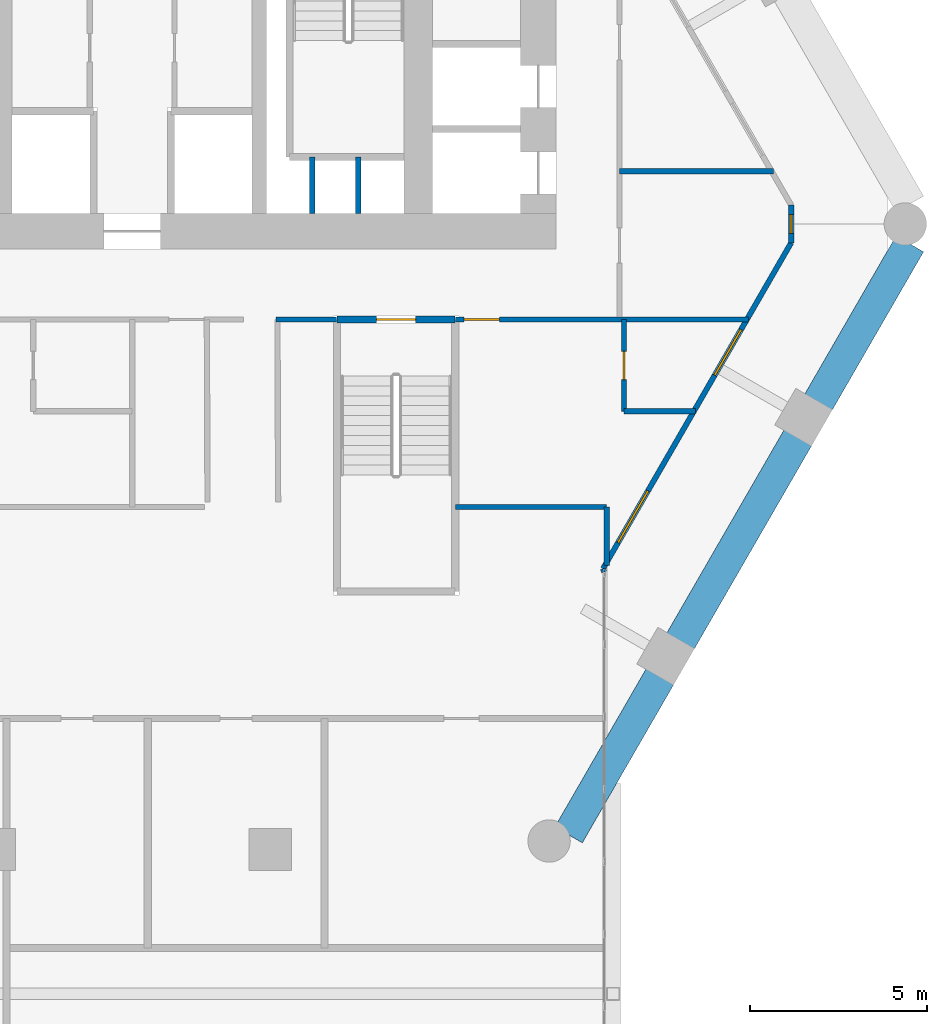
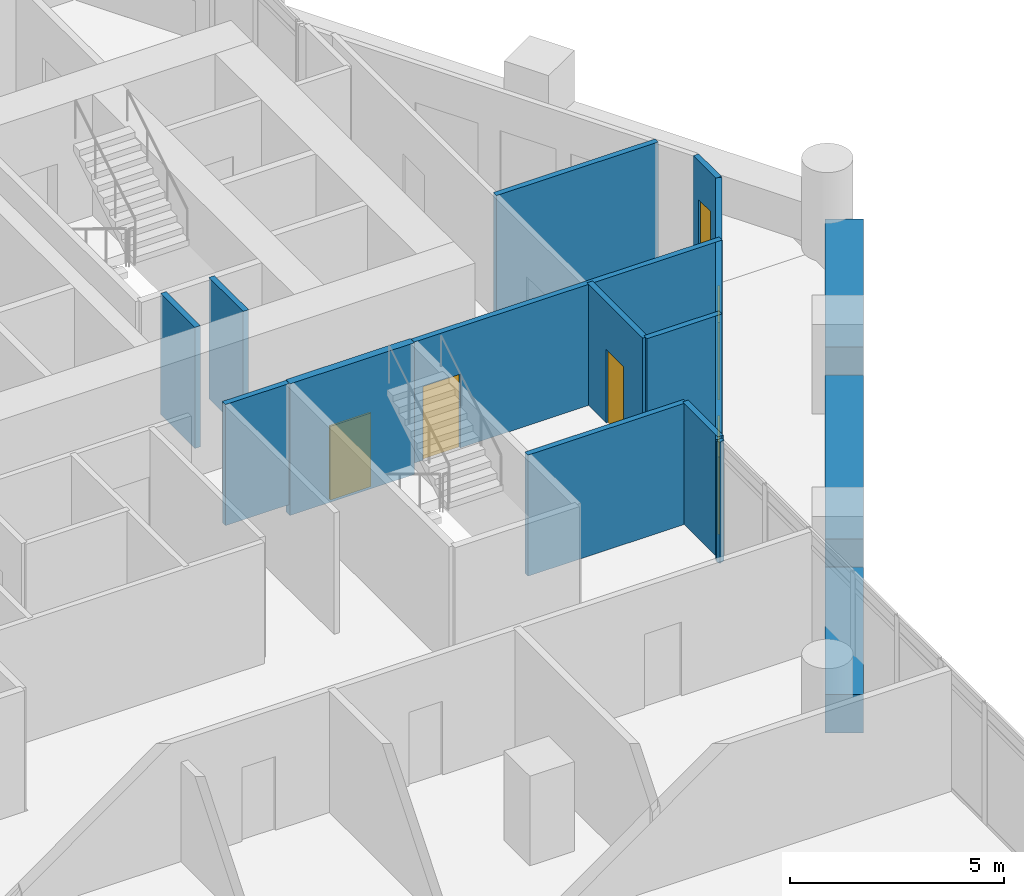
# One storey, part 31 of 37: 16 walls, 3 doors, 3 windows, 6 openings.
"""IFC4 building model written with IfcOpenShell, lengths in metres."""

from ifc_helpers import new_model, si_unit, direction, frame, frame_2d, origin, place, context, subcontext, project, spatial, rectangle, extrude, material, layer, layer_set, type_object, element, fill, save


model = new_model("IFC4")

# Units and contexts
model_context = context("Model", 3, precision=1e-05, world=origin(), true_north=direction((0.0, 1.0)))
body_context = subcontext(model_context, "Body", "Model", "MODEL_VIEW")
ifc_project = project(units=[si_unit("LENGTHUNIT", "METRE"), si_unit("AREAUNIT", "SQUARE_METRE"), si_unit("VOLUMEUNIT", "CUBIC_METRE"), si_unit("PLANEANGLEUNIT", "RADIAN"), si_unit("MASSUNIT", "GRAM", prefix="KILO")], contexts=[model_context])

# Site, building, storey
site_placement = place(None, origin())
site = spatial("IfcSite", under=ifc_project, at=site_placement, CompositionType="ELEMENT")
building_placement = place(site_placement, origin())
building = spatial("IfcBuilding", under=site, at=building_placement, Name="Ostrander Bayou Hotel Tower", CompositionType="ELEMENT")
storey_placement = place(building_placement, frame((0.0, 0.0, 131.0)))
storey = spatial("IfcBuildingStorey", under=building, at=storey_placement, Name="L32", CompositionType="ELEMENT", Elevation=131.0)

# Wall, openings, windows
ifc_material_1 = material(Name="Aluminium framed insulated wall", Category="aluminium")
ifc_layer_1 = layer(ifc_material_1, 0.14990234375)
ifc_layer_set_1 = layer_set([ifc_layer_1], Name="GW1 glass-line wall 150 mm")
wall_type_1 = type_object("IfcWallType", Name="GW1 glass-line wall 150 mm", PredefinedType="SOLIDWALL", material=ifc_layer_set_1)
wall_1_placement = place(storey_placement, frame((13.333984375, -10.7548828125, 0.0), z_axis=(0.0, 0.0, 1.0), x_axis=(0.499997430087, 0.866026887519, 0.0)))
wall_1 = element("IfcWall", 1, at=wall_1_placement, inside=storey, type_object=wall_type_1, Name="GW1 L32 SE 1", PredefinedType="SOLIDWALL", context=body_context, shape_type="SweptSolid", body=[
    extrude(rectangle(XDim=10.6572265625, YDim=0.14990234375, at=frame_2d((5.32861328125, 0.0))), origin(), (0.0, 0.0, 1.0), 3.449951171875),
])
opening_1_placement = place(wall_1_placement, frame((0.84716796875, 0.0, 0.14990234375)))
opening_1 = element("IfcOpeningElement", 2, at=opening_1_placement, cuts=wall_1, Name="Opening W8", PredefinedType="OPENING", context=body_context, shape_type="SweptSolid", body=[
    extrude(rectangle(XDim=1.699951171875, YDim=2.199951171875, at=frame_2d((0.85009765625, 1.10009765625))), frame((0.0, 0.074951171875, 0.0), z_axis=(0.0, -1.0, 0.0), x_axis=(1.0, 0.0, 0.0)), (0.0, 0.0, 1.0), 0.14990234375),
])
opening_2_placement = place(wall_1_placement, frame((6.322265625, 0.0, 0.14990234375)))
opening_2 = element("IfcOpeningElement", 3, at=opening_2_placement, cuts=wall_1, Name="Opening W12", PredefinedType="OPENING", context=body_context, shape_type="SweptSolid", body=[
    extrude(rectangle(XDim=1.5, YDim=2.199951171875, at=frame_2d((0.75, 1.10009765625))), frame((0.0, 0.074951171875, 0.0), z_axis=(0.0, -1.0, 0.0), x_axis=(1.0, 0.0, 0.0)), (0.0, 0.0, 1.0), 0.14990234375),
])
ifc_material_2 = material(Name="Aluminium and clear glass", Category="aluminium")
window_type_1 = type_object("IfcWindowType", Name="W12 fixed window 1500 mm, bath bay, zone 2", PartitioningType="SINGLE_PANEL", PredefinedType="WINDOW", material=ifc_material_2)
window_1_placement = place(opening_2_placement, origin())
window_1 = element("IfcWindow", 4, at=window_1_placement, inside=storey, type_object=window_type_1, Name="W12 L32 SE 3", OverallHeight=2.199951171875, OverallWidth=1.5, PartitioningType="SINGLE_PANEL", PredefinedType="WINDOW", context=body_context, shape_type="SweptSolid", body=[
    extrude(rectangle(XDim=1.5, YDim=2.199951171875, at=frame_2d((0.75, 1.10009765625))), frame((0.0, 0.030029296875, 0.0), z_axis=(0.0, -1.0, 0.0), x_axis=(1.0, 0.0, 0.0)), (0.0, 0.0, 1.0), 0.06005859375),
])
fill(opening_2, window_1)
ifc_material_3 = material(Name="Aluminium and clear glass", Category="aluminium")
window_type_2 = type_object("IfcWindowType", Name="W8 fixed window 1700 mm, bar storeys, zone 2", PartitioningType="SINGLE_PANEL", PredefinedType="WINDOW", material=ifc_material_3)
window_2_placement = place(opening_1_placement, origin())
window_2 = element("IfcWindow", 5, at=window_2_placement, inside=storey, type_object=window_type_2, Name="W8 L32 SE 2", OverallHeight=2.199951171875, OverallWidth=1.699951171875, PartitioningType="SINGLE_PANEL", PredefinedType="WINDOW", context=body_context, shape_type="SweptSolid", body=[
    extrude(rectangle(XDim=1.699951171875, YDim=2.199951171875, at=frame_2d((0.85009765625, 1.10009765625))), frame((0.0, 0.030029296875, 0.0), z_axis=(0.0, -1.0, 0.0), x_axis=(1.0, 0.0, 0.0)), (0.0, 0.0, 1.0), 0.06005859375),
])
fill(opening_1, window_2)

# Wall, opening, window
wall_2_placement = place(storey_placement, frame((18.66259765625, -1.525390625, 0.0), z_axis=(0.0, 0.0, 1.0), x_axis=(0.0, 1.0, 0.0)))
wall_2 = element("IfcWall", 6, at=wall_2_placement, inside=storey, type_object=wall_type_1, Name="GW1 L32 corner 5", PredefinedType="SOLIDWALL", context=body_context, shape_type="SweptSolid", body=[
    extrude(rectangle(XDim=1.065185546875, YDim=0.14990234375, at=frame_2d((0.53271484375, 0.0))), origin(), (0.0, 0.0, 1.0), 3.449951171875),
])
opening_3_placement = place(wall_2_placement, frame((0.257568359375, 0.0, 0.14990234375)))
opening_3 = element("IfcOpeningElement", 7, at=opening_3_placement, cuts=wall_2, Name="Opening W19", PredefinedType="OPENING", context=body_context, shape_type="SweptSolid", body=[
    extrude(rectangle(XDim=0.550048828125, YDim=2.199951171875, at=frame_2d((0.27490234375, 1.10009765625))), frame((0.0, 0.074951171875, 0.0), z_axis=(0.0, -1.0, 0.0), x_axis=(1.0, 0.0, 0.0)), (0.0, 0.0, 1.0), 0.14990234375),
])
ifc_material_4 = material(Name="Aluminium and clear glass", Category="aluminium")
window_type_3 = type_object("IfcWindowType", Name="W19 corner window 550 mm", PartitioningType="SINGLE_PANEL", PredefinedType="WINDOW", material=ifc_material_4)
window_3_placement = place(opening_3_placement, origin())
window_3 = element("IfcWindow", 8, at=window_3_placement, inside=storey, type_object=window_type_3, Name="W19 L32 corner 5", OverallHeight=2.199951171875, OverallWidth=0.550048828125, PartitioningType="SINGLE_PANEL", PredefinedType="WINDOW", context=body_context, shape_type="SweptSolid", body=[
    extrude(rectangle(XDim=0.550048828125, YDim=2.199951171875, at=frame_2d((0.27490234375, 1.10009765625))), frame((0.0, 0.030029296875, 0.0), z_axis=(0.0, -1.0, 0.0), x_axis=(1.0, 0.0, 0.0)), (0.0, 0.0, 1.0), 0.06005859375),
])
fill(opening_3, window_3)

# Walls
wall_3_placement = place(storey_placement, frame((13.333984375, -10.7548828125, 0.0), z_axis=(0.0, 0.0, 1.0), x_axis=(0.337751931921, -0.941235163221, 0.0)))
element("IfcWall", 9, at=wall_3_placement, inside=storey, type_object=wall_type_1, Name="GW1 L32 bar joint 3", PredefinedType="SOLIDWALL", context=body_context, shape_type="SweptSolid", body=[
    extrude(rectangle(XDim=0.098388671875, YDim=0.14990234375, at=frame_2d((0.04931640625, 0.0))), origin(), (0.0, 0.0, 1.0), 3.449951171875),
])
ifc_material_5 = material(Name="Limestone masonry", Category="masonry")
ifc_layer_2 = layer(ifc_material_5, 0.89990234375)
ifc_layer_set_2 = layer_set([ifc_layer_2], Name="PA2 limestone parapet 900 mm")
wall_type_2 = type_object("IfcWallType", Name="PA2 limestone parapet 900 mm", PredefinedType="PARAPET", material=ifc_layer_set_2)
wall_4_placement = place(storey_placement, frame((12.35888671875, -18.293701171875, 0.0), z_axis=(0.0, 0.0, 1.0), x_axis=(0.499996813733, 0.866027243369, 0.0)))
element("IfcWall", 10, at=wall_4_placement, inside=storey, type_object=wall_type_2, Name="PA2 L32 SE-1", PredefinedType="PARAPET", context=body_context, shape_type="SweptSolid", body=[
    extrude(rectangle(XDim=5.1865234375, YDim=0.89990234375, at=frame_2d((2.59326171875, 0.0))), origin(), (0.0, 0.0, 1.0), 1.10009765625),
])
wall_5_placement = place(storey_placement, frame((15.522216796875, -12.814697265625, 0.0), z_axis=(0.0, 0.0, 1.0), x_axis=(0.499999023957, 0.866025967302, 0.0)))
element("IfcWall", 11, at=wall_5_placement, inside=storey, type_object=wall_type_2, Name="PA2 L32 SE-2", PredefinedType="PARAPET", context=body_context, shape_type="SweptSolid", body=[
    extrude(rectangle(XDim=6.67333984375, YDim=0.89990234375, at=frame_2d((3.336669921875, 0.0))), origin(), (0.0, 0.0, 1.0), 1.10009765625),
])
wall_6_placement = place(storey_placement, frame((19.428955078125, -6.048095703125, 0.0), z_axis=(0.0, 0.0, 1.0), x_axis=(0.499996813733, 0.866027243369, 0.0)))
element("IfcWall", 12, at=wall_6_placement, inside=storey, type_object=wall_type_2, Name="PA2 L32 SE-3", PredefinedType="PARAPET", context=body_context, shape_type="SweptSolid", body=[
    extrude(rectangle(XDim=5.1865234375, YDim=0.89990234375, at=frame_2d((2.59326171875, 0.0))), origin(), (0.0, 0.0, 1.0), 1.10009765625),
])
ifc_material_6 = material(Name="Gypsum board partition", Category="finish")
ifc_layer_3 = layer(ifc_material_6, 0.14990234375)
ifc_layer_set_3 = layer_set([ifc_layer_3], Name="PT7 riser wall 150 mm, 2 hour")
wall_type_3 = type_object("IfcWallType", Name="PT7 riser wall 150 mm, 2 hour", PredefinedType="PARTITIONING", material=ifc_layer_set_3)
for number, where, z_axis, x_axis, name in (
    (13, (5.10009765625, -0.699951171875, 0.0), (0.0, 0.0, 1.0), (0.0, 1.0, 0.0), "cs:L32:015"),
    (14, (6.39990234375, -0.699951171875, 0.0), (0.0, 0.0, 1.0), (0.0, 1.0, 0.0), "cs:L32:016"),
):
    element("IfcWall", number, at=place(storey_placement, frame(where, z_axis=z_axis, x_axis=x_axis)), inside=storey, type_object=wall_type_3, Name=name, PredefinedType="PARTITIONING", context=body_context, shape_type="SweptSolid", body=[
        extrude(rectangle(XDim=1.599853515625, YDim=0.14990234375, at=frame_2d((0.7998046875, 0.0))), origin(), (0.0, 0.0, 1.0), 3.449951171875),
    ])
ifc_material_7 = material(Name="Gypsum board partition", Category="finish")
ifc_layer_4 = layer(ifc_material_7, 0.14990234375)
ifc_layer_set_4 = layer_set([ifc_layer_4], Name="PT8 service band wall 150 mm, 1 hour")
wall_type_4 = type_object("IfcWallType", Name="PT8 service band wall 150 mm, 1 hour", PredefinedType="PARTITIONING", material=ifc_layer_set_4)
wall_7_placement = place(storey_placement, frame((9.159912109375, -9.010009765625, 0.0), z_axis=(0.0, 0.0, 1.0), x_axis=(1.0, 0.0, 0.0)))
element("IfcWall", 15, at=wall_7_placement, inside=storey, type_object=wall_type_4, Name="gw:L32:003", PredefinedType="PARTITIONING", context=body_context, shape_type="SweptSolid", body=[
    extrude(rectangle(XDim=4.280029296875, YDim=0.14990234375, at=frame_2d((2.14013671875, 0.0))), origin(), (0.0, 0.0, 1.0), 3.449951171875),
])
wall_8_placement = place(storey_placement, frame((13.929931640625, -6.300048828125, 0.0), z_axis=(0.0, 0.0, 1.0), x_axis=(1.0, 0.0, 0.0)))
element("IfcWall", 16, at=wall_8_placement, inside=storey, type_object=wall_type_4, Name="gw:L32:006", PredefinedType="PARTITIONING", context=body_context, shape_type="SweptSolid", body=[
    extrude(rectangle(XDim=2.028076171875, YDim=0.14990234375, at=frame_2d((1.01416015625, 0.0))), origin(), (0.0, 0.0, 1.0), 3.449951171875),
])
wall_9_placement = place(storey_placement, frame((4.074951171875, -3.699951171875, 0.0), z_axis=(0.0, 0.0, 1.0), x_axis=(1.0, 0.0, 0.0)))
element("IfcWall", 17, at=wall_9_placement, inside=storey, type_object=wall_type_4, Name="gw:L32:009", PredefinedType="PARTITIONING", context=body_context, shape_type="SweptSolid", body=[
    extrude(rectangle(XDim=1.715087890625, YDim=0.14990234375, at=frame_2d((0.857421875, 0.0))), origin(), (0.0, 0.0, 1.0), 3.449951171875),
])

# Wall, opening, door
wall_10_placement = place(storey_placement, frame((9.159912109375, -3.699951171875, 0.0), z_axis=(0.0, 0.0, 1.0), x_axis=(1.0, 0.0, 0.0)))
wall_10 = element("IfcWall", 18, at=wall_10_placement, inside=storey, type_object=wall_type_4, Name="gw:L32:010", PredefinedType="PARTITIONING", context=body_context, shape_type="SweptSolid", body=[
    extrude(rectangle(XDim=8.299072265625, YDim=0.14990234375, at=frame_2d((4.1494140625, 0.0))), origin(), (0.0, 0.0, 1.0), 3.449951171875),
])
opening_4_placement = place(wall_10_placement, frame((0.239990234375, 0.0, 0.0)))
opening_4 = element("IfcOpeningElement", 19, at=opening_4_placement, cuts=wall_10, Name="Opening T32-406", PredefinedType="OPENING", context=body_context, shape_type="SweptSolid", body=[
    extrude(rectangle(XDim=1.0, YDim=2.10009765625, at=frame_2d((0.5, 1.050048828125))), frame((0.0, 0.074951171875, 0.0), z_axis=(0.0, -1.0, 0.0), x_axis=(1.0, 0.0, 0.0)), (0.0, 0.0, 1.0), 0.14990234375),
])
ifc_material_8 = material(Name="Timber door leaf", Category="wood")
door_type_1 = type_object("IfcDoorType", Name="D1 guest room door 1000 x 2100 mm, 30 minute", OperationType="SINGLE_SWING_LEFT", PredefinedType="DOOR", material=ifc_material_8)
door_1_placement = place(opening_4_placement, origin())
door_1 = element("IfcDoor", 20, at=door_1_placement, inside=storey, type_object=door_type_1, Name="dr:L32:406", OperationType="SINGLE_SWING_LEFT", OverallHeight=2.10009765625, OverallWidth=1.0, PredefinedType="DOOR", context=body_context, shape_type="SweptSolid", body=[
    extrude(rectangle(XDim=1.0, YDim=2.10009765625, at=frame_2d((0.5, 1.050048828125))), frame((0.0, 0.02490234375, 0.0), z_axis=(0.0, -1.0, 0.0), x_axis=(1.0, 0.0, 0.0)), (0.0, 0.0, 1.0), 0.050048828125),
])
fill(opening_4, door_1)

# Wall
wall_11_placement = place(storey_placement, frame((13.800048828125, 0.5, 0.0), z_axis=(0.0, 0.0, 1.0), x_axis=(1.0, 0.0, 0.0)))
element("IfcWall", 21, at=wall_11_placement, inside=storey, type_object=wall_type_4, Name="gw:L32:012", PredefinedType="PARTITIONING", context=body_context, shape_type="SweptSolid", body=[
    extrude(rectangle(XDim=4.35986328125, YDim=0.14990234375, at=frame_2d((2.179931640625, 0.0))), origin(), (0.0, 0.0, 1.0), 3.449951171875),
])

# Wall, opening, door
wall_12_placement = place(storey_placement, frame((13.929931640625, -6.300048828125, 0.0), z_axis=(0.0, 0.0, 1.0), x_axis=(0.0, 1.0, 0.0)))
wall_12 = element("IfcWall", 22, at=wall_12_placement, inside=storey, type_object=wall_type_4, Name="gw:L32:015", PredefinedType="PARTITIONING", context=body_context, shape_type="SweptSolid", body=[
    extrude(rectangle(XDim=2.60009765625, YDim=0.14990234375, at=frame_2d((1.300048828125, 0.0))), origin(), (0.0, 0.0, 1.0), 3.449951171875),
])
opening_5_placement = place(wall_12_placement, frame((0.89990234375, 0.0, 0.0)))
opening_5 = element("IfcOpeningElement", 23, at=opening_5_placement, cuts=wall_12, Name="Opening T32-407", PredefinedType="OPENING", context=body_context, shape_type="SweptSolid", body=[
    extrude(rectangle(XDim=0.800048828125, YDim=2.10009765625, at=frame_2d((0.39990234375, 1.050048828125))), frame((0.0, 0.074951171875, 0.0), z_axis=(0.0, -1.0, 0.0), x_axis=(1.0, 0.0, 0.0)), (0.0, 0.0, 1.0), 0.14990234375),
])
ifc_material_9 = material(Name="Timber door leaf", Category="wood")
door_type_2 = type_object("IfcDoorType", Name="D2 bathroom door 800 x 2100 mm", OperationType="SINGLE_SWING_LEFT", PredefinedType="DOOR", material=ifc_material_9)
door_2_placement = place(opening_5_placement, origin())
door_2 = element("IfcDoor", 24, at=door_2_placement, inside=storey, type_object=door_type_2, Name="dr:L32:407", OperationType="SINGLE_SWING_RIGHT", OverallHeight=2.10009765625, OverallWidth=0.800048828125, PredefinedType="DOOR", context=body_context, shape_type="SweptSolid", body=[
    extrude(rectangle(XDim=0.800048828125, YDim=2.10009765625, at=frame_2d((0.39990234375, 1.050048828125))), frame((0.0, 0.02490234375, 0.0), z_axis=(0.0, -1.0, 0.0), x_axis=(1.0, 0.0, 0.0)), (0.0, 0.0, 1.0), 0.050048828125),
])
fill(opening_5, door_2)

# Wall
wall_13_placement = place(storey_placement, frame((13.43994140625, -10.660888671875, 0.0), z_axis=(0.0, 0.0, 1.0), x_axis=(0.0, 1.0, 0.0)))
element("IfcWall", 25, at=wall_13_placement, inside=storey, type_object=wall_type_4, Name="gw:L32:017", PredefinedType="PARTITIONING", context=body_context, shape_type="SweptSolid", body=[
    extrude(rectangle(XDim=1.65087890625, YDim=0.14990234375, at=frame_2d((0.825439453125, 0.0))), origin(), (0.0, 0.0, 1.0), 3.449951171875),
])

# Wall, opening, door
ifc_material_10 = material(Name="Concrete f'c 45 MPa", Category="concrete")
ifc_layer_5 = layer(ifc_material_10, 0.199951171875)
ifc_layer_set_5 = layer_set([ifc_layer_5], Name="SW5 stair enclosure wall 200 mm f'c 45 MPa")
wall_type_5 = type_object("IfcWallType", Name="SW5 stair enclosure wall 200 mm f'c 45 MPa", PredefinedType="SOLIDWALL", material=ifc_layer_set_5)
wall_14_placement = place(storey_placement, frame((5.800048828125, -3.699951171875, -0.300048828125), z_axis=(0.0, 0.0, 1.0), x_axis=(1.0, 0.0, 0.0)))
wall_14 = element("IfcWall", 26, at=wall_14_placement, inside=storey, type_object=wall_type_5, Name="cs:L32:017", PredefinedType="SOLIDWALL", context=body_context, shape_type="SweptSolid", body=[
    extrude(rectangle(XDim=3.349853515625, YDim=0.199951171875, at=frame_2d((1.6748046875, 0.0))), origin(), (0.0, 0.0, 1.0), 3.75),
])
opening_6_placement = place(wall_14_placement, frame((1.125, 0.0, 0.0)))
opening_6 = element("IfcOpeningElement", 27, at=opening_6_placement, cuts=wall_14, Name="Opening T32-007", PredefinedType="OPENING", context=body_context, shape_type="SweptSolid", body=[
    extrude(rectangle(XDim=1.10009765625, YDim=2.10009765625, at=frame_2d((0.550048828125, 1.050048828125))), frame((0.0, 0.10009765625, 0.0), z_axis=(0.0, -1.0, 0.0), x_axis=(1.0, 0.0, 0.0)), (0.0, 0.0, 1.0), 0.199951171875),
])
ifc_material_11 = material(Name="Timber door leaf", Category="wood")
door_type_3 = type_object("IfcDoorType", Name="D5 stair door 1100 x 2100 mm, 90 minute", OperationType="SINGLE_SWING_LEFT", PredefinedType="DOOR", material=ifc_material_11)
door_3_placement = place(opening_6_placement, origin())
door_3 = element("IfcDoor", 28, at=door_3_placement, inside=storey, type_object=door_type_3, Name="dr:L32:007", OperationType="SINGLE_SWING_LEFT", OverallHeight=2.10009765625, OverallWidth=1.10009765625, PredefinedType="DOOR", context=body_context, shape_type="SweptSolid", body=[
    extrude(rectangle(XDim=1.10009765625, YDim=2.10009765625, at=frame_2d((0.550048828125, 1.050048828125))), frame((0.0, 0.02490234375, 0.0), z_axis=(0.0, -1.0, 0.0), x_axis=(1.0, 0.0, 0.0)), (0.0, 0.0, 1.0), 0.050048828125),
])
fill(opening_6, door_3)

save(model, "model.ifc")
